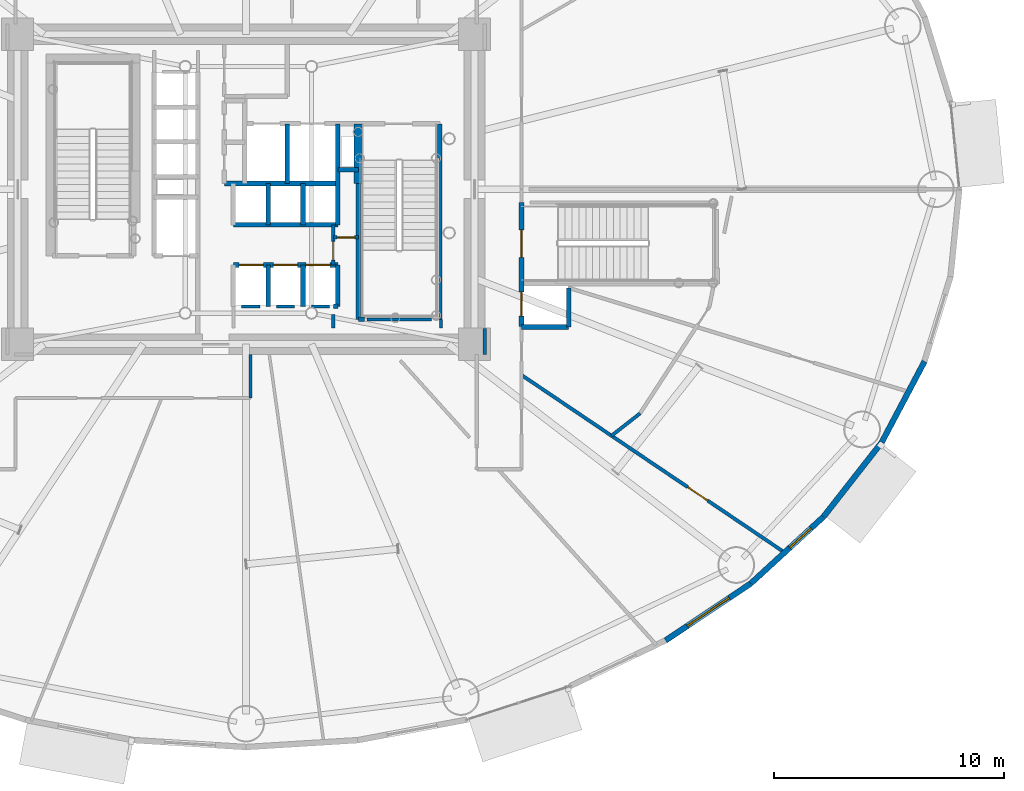
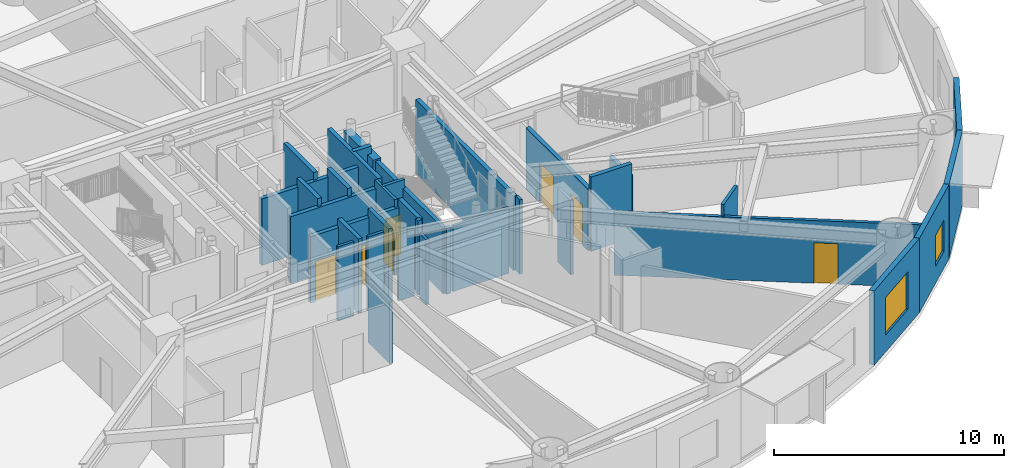
# One storey, part 21 of 35: 35 walls, 8 doors, 2 windows, 10 openings.
"""IFC4 building model written with IfcOpenShell, lengths in metres."""

from ifc_helpers import new_model, si_unit, direction, frame, frame_2d, origin, origin_2d, place, context, subcontext, project, spatial, rectangle, extrude, source, transform, mapped, material, layer, layer_set, type_object, element, fill, save


model = new_model("IFC4")

# Units and contexts
model_context = context("Model", 3, precision=1e-05, world=origin(), true_north=direction((0.0, 1.0)))
body_context = subcontext(model_context, "Body", "Model", "MODEL_VIEW")
ifc_project = project(units=[si_unit("LENGTHUNIT", "METRE"), si_unit("AREAUNIT", "SQUARE_METRE"), si_unit("VOLUMEUNIT", "CUBIC_METRE"), si_unit("PLANEANGLEUNIT", "RADIAN"), si_unit("MASSUNIT", "GRAM", prefix="KILO")], contexts=[model_context])

# Site, building, storey
site_placement = place(None, origin())
site = spatial("IfcSite", under=ifc_project, at=site_placement, CompositionType="ELEMENT")
building_placement = place(site_placement, origin())
building = spatial("IfcBuilding", under=site, at=building_placement, Name="Linh Dai School and Residence Tower", CompositionType="ELEMENT")
storey_placement = place(building_placement, frame((0.0, 0.0, 49.199951171875)))
storey = spatial("IfcBuildingStorey", under=building, at=storey_placement, Name="L11", CompositionType="ELEMENT", Elevation=49.199951171875)

# Wall, opening, window
ifc_material_1 = material(Name="Precast Concrete B45 (C35/45)", Category="concrete")
ifc_layer_1 = layer(ifc_material_1, 0.25)
ifc_layer_set_1 = layer_set([ifc_layer_1], Name="Precast Concrete B45 (C35/45)")
wall_type_1 = type_object("IfcWallType", Name="EW-TC-250", PredefinedType="SOLIDWALL", material=ifc_layer_set_1)
wall_1_placement = place(storey_placement, frame((57.984619140625, 9.82373046875, 0.0), z_axis=(0.0, 0.0, 1.0), x_axis=(-0.831240982525, -0.555912249343, 0.0)))
wall_1 = element("IfcWall", 1, at=wall_1_placement, inside=storey, type_object=wall_type_1, Name="L11 Terracotta Exterior Wall 35", PredefinedType="SOLIDWALL", context=body_context, shape_type="SweptSolid", body=[
    extrude(rectangle(XDim=4.460205078125, YDim=0.25, at=frame_2d((2.22998046875, 0.0))), origin(), (0.0, 0.0, 1.0), 3.949951171875),
])
opening_1_placement = place(wall_1_placement, frame((1.13037109375, 0.0, 0.89990234375)))
opening_1 = element("IfcOpeningElement", 2, at=opening_1_placement, cuts=wall_1, Name="Opening W4", PredefinedType="OPENING", context=body_context, shape_type="SweptSolid", body=[
    extrude(rectangle(XDim=2.199951171875, YDim=2.0, at=origin_2d()), frame((1.10009765625, 0.135009765625, 1.0), z_axis=(0.0, -1.0, 0.0), x_axis=(1.0, 0.0, 0.0)), (0.0, 0.0, 1.0), 0.27001953125),
])
ifc_material_2 = material(Name="Acoustic Laminated Low-E Glazing", Category="glass")
window_type_1 = type_object("IfcWindowType", Name="WN-SCH-2200x2000", PartitioningType="TRIPLE_PANEL_VERTICAL", PredefinedType="WINDOW", material=ifc_material_2)
shared_shape_1 = source(origin(), body_context, "Body", "SweptSolid", [
    extrude(rectangle(XDim=2.199951171875, YDim=2.0, at=origin_2d()), frame((1.10009765625, 0.030029296875, 1.0), z_axis=(0.0, -1.0, 0.0), x_axis=(1.0, 0.0, 0.0)), (0.0, 0.0, 1.0), 0.06005859375),
])
window_1_placement = place(opening_1_placement, origin())
window_1 = element("IfcWindow", 3, at=window_1_placement, inside=storey, type_object=window_type_1, Name="L11 Exterior Window 35.1", OverallHeight=2.0, OverallWidth=2.199951171875, PartitioningType="TRIPLE_PANEL_VERTICAL", PredefinedType="WINDOW", context=body_context, shape_type="MappedRepresentation", body=[
    mapped(shared_shape_1, transform((0.0, 0.0, 0.0), x_axis=(1.0, 0.0, 0.0), y_axis=(0.0, 1.0, 0.0), z_axis=(0.0, 0.0, 1.0), scale=1.0)),
])
fill(opening_1, window_1)

wall_2_placement = place(storey_placement, frame((61.149658203125, 12.725341796875, 0.0), z_axis=(0.0, 0.0, 1.0), x_axis=(-0.737116376281, -0.67576582321, 0.0)))
wall_2 = element("IfcWall", 4, at=wall_2_placement, inside=storey, type_object=wall_type_1, Name="L11 Terracotta Exterior Wall 36", PredefinedType="SOLIDWALL", context=body_context, shape_type="SweptSolid", body=[
    extrude(rectangle(XDim=4.293701171875, YDim=0.25, at=frame_2d((2.14697265625, 0.0))), origin(), (0.0, 0.0, 1.0), 3.949951171875),
])
opening_2_placement = place(wall_2_placement, frame((0.731201171875, 0.0, 0.89990234375)))
opening_2 = element("IfcOpeningElement", 5, at=opening_2_placement, cuts=wall_2, Name="Opening W3", PredefinedType="OPENING", context=body_context, shape_type="SweptSolid", body=[
    extrude(rectangle(XDim=1.25, YDim=1.64990234375, at=origin_2d()), frame((0.625, 0.135009765625, 0.824951171875), z_axis=(0.0, -1.0, 0.0), x_axis=(1.0, 0.0, 0.0)), (0.0, 0.0, 1.0), 0.27001953125),
])
ifc_material_3 = material(Name="Double Low-E Insulated Glazing", Category="glass")
window_type_2 = type_object("IfcWindowType", Name="WN-RES-1250x1650", PartitioningType="SINGLE_PANEL", PredefinedType="WINDOW", material=ifc_material_3)
shared_shape_2 = source(origin(), body_context, "Body", "SweptSolid", [
    extrude(rectangle(XDim=1.25, YDim=1.64990234375, at=origin_2d()), frame((0.625, 0.030029296875, 0.824951171875), z_axis=(0.0, -1.0, 0.0), x_axis=(1.0, 0.0, 0.0)), (0.0, 0.0, 1.0), 0.06005859375),
])
window_2_placement = place(opening_2_placement, origin())
window_2 = element("IfcWindow", 6, at=window_2_placement, inside=storey, type_object=window_type_2, Name="L11 Exterior Window 36.1", OverallHeight=1.64990234375, OverallWidth=1.25, PartitioningType="SINGLE_PANEL", PredefinedType="WINDOW", context=body_context, shape_type="MappedRepresentation", body=[
    mapped(shared_shape_2, transform((0.0, 0.0, 0.0), x_axis=(1.0, 0.0, 0.0), y_axis=(0.0, 1.0, 0.0), z_axis=(0.0, 0.0, 1.0), scale=1.0)),
])
fill(opening_2, window_2)

# Walls
wall_3_placement = place(storey_placement, frame((63.694580078125, 15.977294921875, 0.0), z_axis=(0.0, 0.0, 1.0), x_axis=(-0.616295508253, -0.787514981767, 0.0)))
element("IfcWall", 7, at=wall_3_placement, inside=storey, type_object=wall_type_1, Name="L11 Terracotta Exterior Wall 37", PredefinedType="SOLIDWALL", context=body_context, shape_type="SweptSolid", body=[
    extrude(rectangle(XDim=4.12939453125, YDim=0.25, at=frame_2d((2.064697265625, 0.0))), origin(), (0.0, 0.0, 1.0), 3.949951171875),
])
wall_4_placement = place(storey_placement, frame((65.5576171875, 19.49853515625, 0.0), z_axis=(0.0, 0.0, 1.0), x_axis=(-0.467662443071, -0.883907144072, 0.0)))
element("IfcWall", 8, at=wall_4_placement, inside=storey, type_object=wall_type_1, Name="L11 Terracotta Exterior Wall 38", PredefinedType="SOLIDWALL", context=body_context, shape_type="SweptSolid", body=[
    extrude(rectangle(XDim=3.983642578125, YDim=0.25, at=frame_2d((1.99169921875, 0.0))), origin(), (0.0, 0.0, 1.0), 3.949951171875),
])
ifc_material_4 = material(Name="Autoclaved Aerated Concrete Blockwork", Category="masonry")
ifc_layer_2 = layer(ifc_material_4, 0.135009765625)
ifc_layer_set_2 = layer_set([ifc_layer_2], Name="Autoclaved Aerated Concrete Blockwork")
wall_type_2 = type_object("IfcWallType", Name="IW-CORR-135-EI90", PredefinedType="PARTITIONING", material=ifc_layer_set_2)
wall_5_placement = place(storey_placement, frame((36.199951171875, 17.89990234375, 0.0), z_axis=(0.0, 0.0, 1.0), x_axis=(0.0, 1.0, 0.0)))
element("IfcWall", 9, at=wall_5_placement, inside=storey, type_object=wall_type_2, Name="L11 Interior Partition Wall 041", PredefinedType="PARTITIONING", context=body_context, shape_type="SweptSolid", body=[
    extrude(rectangle(XDim=1.900146484375, YDim=0.135009765625, at=frame_2d((0.9501953125, 0.0))), origin(), (0.0, 0.0, 1.0), 3.28515625),
])

# Wall, opening, door
wall_6_placement = place(storey_placement, frame((39.800048828125, 23.699951171875, 0.0), z_axis=(0.0, 0.0, 1.0), x_axis=(0.0, 1.0, 0.0)))
wall_6 = element("IfcWall", 10, at=wall_6_placement, inside=storey, type_object=wall_type_2, Name="L11 Interior Partition Wall 050", PredefinedType="PARTITIONING", context=body_context, shape_type="SweptSolid", body=[
    extrude(rectangle(XDim=1.75, YDim=0.135009765625, at=frame_2d((0.875, 0.0))), origin(), (0.0, 0.0, 1.0), 3.949951171875),
])
opening_3_placement = place(wall_6_placement, frame((0.2099609375, 0.0, 0.0)))
opening_3 = element("IfcOpeningElement", 11, at=opening_3_placement, cuts=wall_6, Name="Opening D06", PredefinedType="OPENING", context=body_context, shape_type="SweptSolid", body=[
    extrude(rectangle(XDim=0.820068359375, YDim=2.10009765625, at=origin_2d()), frame((0.41015625, 0.07763671875, 1.050048828125), z_axis=(0.0, -1.0, 0.0), x_axis=(1.0, 0.0, 0.0)), (0.0, 0.0, 1.0), 0.155029296875),
])
ifc_material_5 = material(Name="Moisture-Resistant Timber Bathroom Door", Category="wood")
door_type_1 = type_object("IfcDoorType", Name="DR-WET-820x2100", OperationType="NOTDEFINED", PredefinedType="DOOR", material=ifc_material_5)
shared_shape_3 = source(origin(), body_context, "Body", "SweptSolid", [
    extrude(rectangle(XDim=0.820068359375, YDim=2.10009765625, at=origin_2d()), frame((0.41015625, 0.02490234375, 1.050048828125), z_axis=(0.0, -1.0, 0.0), x_axis=(1.0, 0.0, 0.0)), (0.0, 0.0, 1.0), 0.050048828125),
])
door_1_placement = place(opening_3_placement, origin())
door_1 = element("IfcDoor", 12, at=door_1_placement, inside=storey, type_object=door_type_1, Name="L11 SE Electrical Closet Door", OperationType="SINGLE_SWING_RIGHT", OverallHeight=2.10009765625, OverallWidth=0.820068359375, PredefinedType="DOOR", context=body_context, shape_type="MappedRepresentation", body=[
    mapped(shared_shape_3, transform((0.0, 0.0, 0.0), x_axis=(1.0, 0.0, 0.0), y_axis=(0.0, 1.0, 0.0), z_axis=(0.0, 0.0, 1.0), scale=1.0)),
])
fill(opening_3, door_1)

# Walls
wall_7_placement = place(storey_placement, frame((44.080078125, 21.330078125, 0.0), z_axis=(0.0, 0.0, 1.0), x_axis=(-1.0, 0.0, 0.0)))
element("IfcWall", 13, at=wall_7_placement, inside=storey, type_object=wall_type_2, Name="L11 Interior Partition Wall 076", PredefinedType="PARTITIONING", context=body_context, shape_type="SweptSolid", body=[
    extrude(rectangle(XDim=2.820068359375, YDim=0.135009765625, at=frame_2d((1.41015625, 0.0))), origin(), (0.0, 0.0, 1.0), 3.485107421875),
])
wall_8_placement = place(storey_placement, frame((36.60009765625, 21.89990234375, 0.0), z_axis=(0.0, 0.0, 1.0), x_axis=(-1.0, 0.0, 0.0)))
element("IfcWall", 14, at=wall_8_placement, inside=storey, type_object=wall_type_2, Name="L11 Interior Partition Wall 077", PredefinedType="PARTITIONING", context=body_context, shape_type="SweptSolid", body=[
    extrude(rectangle(XDim=0.7900390625, YDim=0.135009765625, at=frame_2d((0.39501953125, 0.0))), origin(), (0.0, 0.0, 1.0), 3.949951171875),
])
wall_9_placement = place(storey_placement, frame((38.1201171875, 21.89990234375, 0.0), z_axis=(0.0, 0.0, 1.0), x_axis=(-1.0, 0.0, 0.0)))
element("IfcWall", 15, at=wall_9_placement, inside=storey, type_object=wall_type_2, Name="L11 Interior Partition Wall 078", PredefinedType="PARTITIONING", context=body_context, shape_type="SweptSolid", body=[
    extrude(rectangle(XDim=0.800048828125, YDim=0.135009765625, at=frame_2d((0.39990234375, 0.0))), origin(), (0.0, 0.0, 1.0), 3.949951171875),
])
wall_10_placement = place(storey_placement, frame((39.639892578125, 21.89990234375, 0.0), z_axis=(0.0, 0.0, 1.0), x_axis=(-1.0, 0.0, 0.0)))
element("IfcWall", 16, at=wall_10_placement, inside=storey, type_object=wall_type_2, Name="L11 Interior Partition Wall 079", PredefinedType="PARTITIONING", context=body_context, shape_type="SweptSolid", body=[
    extrude(rectangle(XDim=0.7998046875, YDim=0.135009765625, at=frame_2d((0.39990234375, 0.0))), origin(), (0.0, 0.0, 1.0), 3.53515625),
])
wall_11_placement = place(storey_placement, frame((39.800048828125, 20.9599609375, 0.0), z_axis=(0.0, 0.0, 1.0), x_axis=(0.0, 1.0, 0.0)))
element("IfcWall", 17, at=wall_11_placement, inside=storey, type_object=wall_type_2, Name="L11 Interior Partition Wall 081", PredefinedType="PARTITIONING", context=body_context, shape_type="SweptSolid", body=[
    extrude(rectangle(XDim=0.580078125, YDim=0.135009765625, at=frame_2d((0.2900390625, 0.0))), origin(), (0.0, 0.0, 1.0), 3.485107421875),
])
wall_12_placement = place(storey_placement, frame((44.5, 20.9599609375, 0.0), z_axis=(0.0, 0.0, 1.0), x_axis=(0.0, 1.0, 0.0)))
element("IfcWall", 18, at=wall_12_placement, inside=storey, type_object=wall_type_2, Name="L11 Interior Partition Wall 083", PredefinedType="PARTITIONING", context=body_context, shape_type="SweptSolid", body=[
    extrude(rectangle(XDim=0.360107421875, YDim=0.135009765625, at=frame_2d((0.18017578125, 0.0))), origin(), (0.0, 0.0, 1.0), 3.949951171875),
])
wall_13_placement = place(storey_placement, frame((46.39990234375, 19.800048828125, 0.0), z_axis=(0.0, 0.0, 1.0), x_axis=(0.0, 1.0, 0.0)))
element("IfcWall", 19, at=wall_13_placement, inside=storey, type_object=wall_type_2, Name="L11 Interior Partition Wall 090", PredefinedType="PARTITIONING", context=body_context, shape_type="SweptSolid", body=[
    extrude(rectangle(XDim=1.139892578125, YDim=0.135009765625, at=frame_2d((0.56982421875, 0.0))), origin(), (0.0, 0.0, 1.0), 3.949951171875),
])

# Wall, opening, door
ifc_layer_3 = layer(ifc_material_4, 0.14990234375)
ifc_layer_set_3 = layer_set([ifc_layer_3], Name="Autoclaved Aerated Concrete Blockwork")
wall_type_3 = type_object("IfcWallType", Name="IW-SCH-150-EI60", PredefinedType="PARTITIONING", material=ifc_layer_set_3)
wall_14_placement = place(storey_placement, frame((39.800048828125, 24.89990234375, 0.0), z_axis=(0.0, 0.0, 1.0), x_axis=(1.0, 0.0, 0.0)))
wall_14 = element("IfcWall", 20, at=wall_14_placement, inside=storey, type_object=wall_type_3, Name="L11 Interior Partition Wall 051", PredefinedType="PARTITIONING", context=body_context, shape_type="SweptSolid", body=[
    extrude(rectangle(XDim=1.099853515625, YDim=0.14990234375, at=frame_2d((0.5498046875, 0.0))), origin(), (0.0, 0.0, 1.0), 3.949951171875),
])
opening_4_placement = place(wall_14_placement, frame((0.169921875, 0.0, 0.0)))
opening_4 = element("IfcOpeningElement", 21, at=opening_4_placement, cuts=wall_14, Name="Opening D08", PredefinedType="OPENING", context=body_context, shape_type="SweptSolid", body=[
    extrude(rectangle(XDim=0.760009765625, YDim=2.10009765625, at=origin_2d()), frame((0.3798828125, 0.0849609375, 1.050048828125), z_axis=(0.0, -1.0, 0.0), x_axis=(1.0, 0.0, 0.0)), (0.0, 0.0, 1.0), 0.169921875),
])
ifc_material_6 = material(Name="Engineered Timber Closet and Study Door", Category="wood")
door_type_2 = type_object("IfcDoorType", Name="DR-CMP-760x2100", OperationType="NOTDEFINED", PredefinedType="DOOR", material=ifc_material_6)
shared_shape_4 = source(origin(), body_context, "Body", "SweptSolid", [
    extrude(rectangle(XDim=0.760009765625, YDim=2.10009765625, at=origin_2d()), frame((0.3798828125, 0.02490234375, 1.050048828125), z_axis=(0.0, -1.0, 0.0), x_axis=(1.0, 0.0, 0.0)), (0.0, 0.0, 1.0), 0.050048828125),
])
door_2_placement = place(opening_4_placement, origin())
door_2 = element("IfcDoor", 22, at=door_2_placement, inside=storey, type_object=door_type_2, Name="L11 NE Equipment Store Door", OperationType="SINGLE_SWING_LEFT", OverallHeight=2.10009765625, OverallWidth=0.760009765625, PredefinedType="DOOR", context=body_context, shape_type="MappedRepresentation", body=[
    mapped(shared_shape_4, transform((0.0, 0.0, 0.0), x_axis=(1.0, 0.0, 0.0), y_axis=(0.0, 1.0, 0.0), z_axis=(0.0, 0.0, 1.0), scale=1.0)),
])
fill(opening_4, door_2)

wall_15_placement = place(storey_placement, frame((48.0, 18.906005859375, 0.0), z_axis=(0.0, 0.0, 1.0), x_axis=(0.829036724814, -0.559194160296, 0.0)))
wall_15 = element("IfcWall", 23, at=wall_15_placement, inside=storey, type_object=wall_type_3, Name="L11 Interior Partition Wall 063", PredefinedType="PARTITIONING", context=body_context, shape_type="SweptSolid", body=[
    extrude(rectangle(XDim=13.828125, YDim=0.14990234375, at=frame_2d((6.9140625, 0.0))), origin(), (0.0, 0.0, 1.0), 3.3349609375),
])
opening_5_placement = place(wall_15_placement, frame((8.7333984375, 0.0, 0.0)))
opening_5 = element("IfcOpeningElement", 24, at=opening_5_placement, cuts=wall_15, Name="Opening D04", PredefinedType="OPENING", context=body_context, shape_type="SweptSolid", body=[
    extrude(rectangle(XDim=1.050048828125, YDim=2.14990234375, at=origin_2d()), frame((0.52490234375, 0.0849609375, 1.074951171875), z_axis=(0.0, -1.0, 0.0), x_axis=(1.0, 0.0, 0.0)), (0.0, 0.0, 1.0), 0.169921875),
])
ifc_material_7 = material(Name="Acoustic Vision-Panel Timber Classroom Door", Category="wood")
door_type_3 = type_object("IfcDoorType", Name="DR-SCH-1050x2150-FD60S", OperationType="NOTDEFINED", PredefinedType="DOOR", material=ifc_material_7)
shared_shape_5 = source(origin(), body_context, "Body", "SweptSolid", [
    extrude(rectangle(XDim=1.050048828125, YDim=2.14990234375, at=origin_2d()), frame((0.52490234375, 0.02490234375, 1.074951171875), z_axis=(0.0, -1.0, 0.0), x_axis=(1.0, 0.0, 0.0)), (0.0, 0.0, 1.0), 0.050048828125),
])
door_3_placement = place(opening_5_placement, origin())
door_3 = element("IfcDoor", 25, at=door_3_placement, inside=storey, type_object=door_type_3, Name="L11 Resource Study Room BWC Door", OperationType="SINGLE_SWING_RIGHT", OverallHeight=2.14990234375, OverallWidth=1.050048828125, PredefinedType="DOOR", context=body_context, shape_type="MappedRepresentation", body=[
    mapped(shared_shape_5, transform((0.0, 0.0, 0.0), x_axis=(1.0, 0.0, 0.0), y_axis=(0.0, 1.0, 0.0), z_axis=(0.0, 0.0, 1.0), scale=1.0)),
])
fill(opening_5, door_3)

# Walls
wall_16_placement = place(storey_placement, frame((51.92041015625, 16.26171875, 0.0), z_axis=(0.0, 0.0, 1.0), x_axis=(0.787325584525, 0.616537447324, 0.0)))
element("IfcWall", 26, at=wall_16_placement, inside=storey, type_object=wall_type_3, Name="L11 Interior Partition Wall 071", PredefinedType="PARTITIONING", context=body_context, shape_type="SweptSolid", body=[
    extrude(rectangle(XDim=1.57958984375, YDim=0.14990234375, at=frame_2d((0.789794921875, 0.0))), origin(), (0.0, 0.0, 1.0), 3.949951171875),
])
ifc_material_8 = material(Name="Concrete B45 (C35/45)", Category="concrete")
ifc_layer_4 = layer(ifc_material_8, 0.199951171875)
ifc_layer_set_4 = layer_set([ifc_layer_4], Name="Concrete B45 (C35/45)")
wall_type_4 = type_object("IfcWallType", Name="IW-SHAFT-200-EI120", PredefinedType="PARTITIONING", material=ifc_layer_set_4)
wall_17_placement = place(storey_placement, frame((35.050048828125, 27.25, 0.0), z_axis=(0.0, 0.0, 1.0), x_axis=(1.0, 0.0, 0.0)))
element("IfcWall", 27, at=wall_17_placement, inside=storey, type_object=wall_type_4, Name="L11 Interior Partition Wall 028", PredefinedType="PARTITIONING", context=body_context, shape_type="SweptSolid", body=[
    extrude(rectangle(XDim=4.949951171875, YDim=0.199951171875, at=frame_2d((2.47509765625, 0.0))), origin(), (0.0, 0.0, 1.0), 3.53515625),
])

# Wall, openings, doors
wall_18_placement = place(storey_placement, frame((35.449951171875, 23.699951171875, 0.0), z_axis=(0.0, 0.0, 1.0), x_axis=(1.0, 0.0, 0.0)))
wall_18 = element("IfcWall", 28, at=wall_18_placement, inside=storey, type_object=wall_type_4, Name="L11 Interior Partition Wall 034", PredefinedType="PARTITIONING", context=body_context, shape_type="SweptSolid", body=[
    extrude(rectangle(XDim=4.550048828125, YDim=0.199951171875, at=frame_2d((2.27490234375, 0.0))), origin(), (0.0, 0.0, 1.0), 3.53515625),
])
opening_6_placement = place(wall_18_placement, frame((0.25, 0.0, 0.0)))
opening_6 = element("IfcOpeningElement", 29, at=opening_6_placement, cuts=wall_18, Name="Opening LD-PL1", PredefinedType="OPENING", context=body_context, shape_type="SweptSolid", body=[
    extrude(rectangle(XDim=1.050048828125, YDim=2.14990234375, at=origin_2d()), frame((0.52490234375, 0.10986328125, 1.074951171875), z_axis=(0.0, -1.0, 0.0), x_axis=(1.0, 0.0, 0.0)), (0.0, 0.0, 1.0), 0.219970703125),
])
opening_7_placement = place(wall_18_placement, frame((1.7451171875, 0.0, 0.0)))
opening_7 = element("IfcOpeningElement", 30, at=opening_7_placement, cuts=wall_18, Name="Opening LD-PL2", PredefinedType="OPENING", context=body_context, shape_type="SweptSolid", body=[
    extrude(rectangle(XDim=1.050048828125, YDim=2.14990234375, at=origin_2d()), frame((0.52490234375, 0.10986328125, 1.074951171875), z_axis=(0.0, -1.0, 0.0), x_axis=(1.0, 0.0, 0.0)), (0.0, 0.0, 1.0), 0.219970703125),
])
opening_8_placement = place(wall_18_placement, frame((3.1650390625, 0.0, 0.0)))
opening_8 = element("IfcOpeningElement", 31, at=opening_8_placement, cuts=wall_18, Name="Opening LD-PL3", PredefinedType="OPENING", context=body_context, shape_type="SweptSolid", body=[
    extrude(rectangle(XDim=1.050048828125, YDim=2.14990234375, at=origin_2d()), frame((0.52490234375, 0.10986328125, 1.074951171875), z_axis=(0.0, -1.0, 0.0), x_axis=(1.0, 0.0, 0.0)), (0.0, 0.0, 1.0), 0.219970703125),
])
ifc_material_9 = material(Name="Brushed Stainless Steel Lift Landing Door", Category="steel")
door_type_4 = type_object("IfcDoorType", Name="DR-LD-PASS-1050x2150", OperationType="DOUBLE_DOOR_SLIDING", PredefinedType="USERDEFINED", material=ifc_material_9)
shared_shape_6 = source(origin(), body_context, "Body", "SweptSolid", [
    extrude(rectangle(XDim=1.050048828125, YDim=2.14990234375, at=origin_2d()), frame((0.52490234375, 0.02490234375, 1.074951171875), z_axis=(0.0, -1.0, 0.0), x_axis=(1.0, 0.0, 0.0)), (0.0, 0.0, 1.0), 0.050048828125),
])
door_4_placement = place(opening_6_placement, origin())
door_4 = element("IfcDoor", 32, at=door_4_placement, inside=storey, type_object=door_type_4, Name="L11 Lift PL1 Sliding Landing Door", ObjectType="LANDING DOOR", OperationType="DOUBLE_DOOR_SLIDING", OverallHeight=2.14990234375, OverallWidth=1.050048828125, PredefinedType="USERDEFINED", context=body_context, shape_type="MappedRepresentation", body=[
    mapped(shared_shape_6, transform((0.0, 0.0, 0.0), x_axis=(1.0, 0.0, 0.0), y_axis=(0.0, 1.0, 0.0), z_axis=(0.0, 0.0, 1.0), scale=1.0)),
])
fill(opening_6, door_4)
door_5_placement = place(opening_7_placement, origin())
door_5 = element("IfcDoor", 33, at=door_5_placement, inside=storey, type_object=door_type_4, Name="L11 Lift PL2 Sliding Landing Door", ObjectType="LANDING DOOR", OperationType="DOUBLE_DOOR_SLIDING", OverallHeight=2.14990234375, OverallWidth=1.050048828125, PredefinedType="USERDEFINED", context=body_context, shape_type="MappedRepresentation", body=[
    mapped(shared_shape_6, transform((0.0, 0.0, 0.0), x_axis=(1.0, 0.0, 0.0), y_axis=(0.0, 1.0, 0.0), z_axis=(0.0, 0.0, 1.0), scale=1.0)),
])
fill(opening_7, door_5)
door_6_placement = place(opening_8_placement, origin())
door_6 = element("IfcDoor", 34, at=door_6_placement, inside=storey, type_object=door_type_4, Name="L11 Lift PL3 Sliding Landing Door", ObjectType="LANDING DOOR", OperationType="DOUBLE_DOOR_SLIDING", OverallHeight=2.14990234375, OverallWidth=1.050048828125, PredefinedType="USERDEFINED", context=body_context, shape_type="MappedRepresentation", body=[
    mapped(shared_shape_6, transform((0.0, 0.0, 0.0), x_axis=(1.0, 0.0, 0.0), y_axis=(0.0, 1.0, 0.0), z_axis=(0.0, 0.0, 1.0), scale=1.0)),
])
fill(opening_8, door_6)

# Walls
wall_19_placement = place(storey_placement, frame((35.449951171875, 25.449951171875, 0.0), z_axis=(0.0, 0.0, 1.0), x_axis=(1.0, 0.0, 0.0)))
element("IfcWall", 35, at=wall_19_placement, inside=storey, type_object=wall_type_4, Name="L11 Interior Partition Wall 036", PredefinedType="PARTITIONING", context=body_context, shape_type="SweptSolid", body=[
    extrude(rectangle(XDim=4.550048828125, YDim=0.199951171875, at=frame_2d((2.27490234375, 0.0))), origin(), (0.0, 0.0, 1.0), 3.53515625),
])
for number, where, z_axis, x_axis, name in (
    (36, (36.9599609375, 21.89990234375, 0.0), (0.0, 0.0, 1.0), (0.0, 1.0, 0.0), "L11 Interior Partition Wall 042"),
    (37, (36.9599609375, 25.449951171875, 0.0), (0.0, 0.0, 1.0), (0.0, 1.0, 0.0), "L11 Interior Partition Wall 043"),
):
    element("IfcWall", number, at=place(storey_placement, frame(where, z_axis=z_axis, x_axis=x_axis)), inside=storey, type_object=wall_type_4, Name=name, PredefinedType="PARTITIONING", context=body_context, shape_type="SweptSolid", body=[
        extrude(rectangle(XDim=1.800048828125, YDim=0.199951171875, at=frame_2d((0.89990234375, 0.0))), origin(), (0.0, 0.0, 1.0), 3.949951171875),
    ])
wall_20_placement = place(storey_placement, frame((37.800048828125, 27.25, 0.0), z_axis=(0.0, 0.0, 1.0), x_axis=(0.0, 1.0, 0.0)))
element("IfcWall", 38, at=wall_20_placement, inside=storey, type_object=wall_type_4, Name="L11 Interior Partition Wall 045", PredefinedType="PARTITIONING", context=body_context, shape_type="SweptSolid", body=[
    extrude(rectangle(XDim=2.60009765625, YDim=0.199951171875, at=frame_2d((1.300048828125, 0.0))), origin(), (0.0, 0.0, 1.0), 3.949951171875),
])
for number, where, z_axis, x_axis, name in (
    (39, (38.47998046875, 21.89990234375, 0.0), (0.0, 0.0, 1.0), (0.0, 1.0, 0.0), "L11 Interior Partition Wall 047"),
    (40, (38.47998046875, 25.449951171875, 0.0), (0.0, 0.0, 1.0), (0.0, 1.0, 0.0), "L11 Interior Partition Wall 048"),
):
    element("IfcWall", number, at=place(storey_placement, frame(where, z_axis=z_axis, x_axis=x_axis)), inside=storey, type_object=wall_type_4, Name=name, PredefinedType="PARTITIONING", context=body_context, shape_type="SweptSolid", body=[
        extrude(rectangle(XDim=1.800048828125, YDim=0.199951171875, at=frame_2d((0.89990234375, 0.0))), origin(), (0.0, 0.0, 1.0), 3.949951171875),
    ])
wall_21_placement = place(storey_placement, frame((39.800048828125, 21.89990234375, 0.0), z_axis=(0.0, 0.0, 1.0), x_axis=(1.0, 0.0, 0.0)))
element("IfcWall", 41, at=wall_21_placement, inside=storey, type_object=wall_type_4, Name="L11 Interior Partition Wall 049", PredefinedType="PARTITIONING", context=body_context, shape_type="SweptSolid", body=[
    extrude(rectangle(XDim=0.199951171875, YDim=0.199951171875, at=frame_2d((0.10009765625, 0.0))), origin(), (0.0, 0.0, 1.0), 3.949951171875),
])
wall_22_placement = place(storey_placement, frame((40.0, 21.89990234375, 0.0), z_axis=(0.0, 0.0, 1.0), x_axis=(0.0, 1.0, 0.0)))
element("IfcWall", 42, at=wall_22_placement, inside=storey, type_object=wall_type_4, Name="L11 Interior Partition Wall 052", PredefinedType="PARTITIONING", context=body_context, shape_type="SweptSolid", body=[
    extrude(rectangle(XDim=1.800048828125, YDim=0.199951171875, at=frame_2d((0.89990234375, 0.0))), origin(), (0.0, 0.0, 1.0), 3.949951171875),
])
wall_23_placement = place(storey_placement, frame((40.0, 25.449951171875, 0.0), z_axis=(0.0, 0.0, 1.0), x_axis=(0.0, 1.0, 0.0)))
element("IfcWall", 43, at=wall_23_placement, inside=storey, type_object=wall_type_4, Name="L11 Interior Partition Wall 053", PredefinedType="PARTITIONING", context=body_context, shape_type="SweptSolid", body=[
    extrude(rectangle(XDim=4.400146484375, YDim=0.199951171875, at=frame_2d((2.2001953125, 0.0))), origin(), (0.0, 0.0, 1.0), 3.949951171875),
])
wall_24_placement = place(storey_placement, frame((40.0, 27.85009765625, 0.0), z_axis=(0.0, 0.0, 1.0), x_axis=(1.0, 0.0, 0.0)))
element("IfcWall", 44, at=wall_24_placement, inside=storey, type_object=wall_type_4, Name="L11 Interior Partition Wall 054", PredefinedType="PARTITIONING", context=body_context, shape_type="SweptSolid", body=[
    extrude(rectangle(XDim=0.89990234375, YDim=0.199951171875, at=frame_2d((0.449951171875, 0.0))), origin(), (0.0, 0.0, 1.0), 3.949951171875),
])
wall_25_placement = place(storey_placement, frame((40.89990234375, 21.330078125, 0.0), z_axis=(0.0, 0.0, 1.0), x_axis=(0.0, 1.0, 0.0)))
element("IfcWall", 45, at=wall_25_placement, inside=storey, type_object=wall_type_4, Name="L11 Interior Partition Wall 055", PredefinedType="PARTITIONING", context=body_context, shape_type="SweptSolid", body=[
    extrude(rectangle(XDim=5.909912109375, YDim=0.199951171875, at=frame_2d((2.955078125, 0.0))), origin(), (0.0, 0.0, 1.0), 3.485107421875),
])
wall_26_placement = place(storey_placement, frame((40.89990234375, 21.330078125, 0.0), z_axis=(0.0, 0.0, 1.0), x_axis=(1.0, 0.0, 0.0)))
element("IfcWall", 46, at=wall_26_placement, inside=storey, type_object=wall_type_4, Name="L11 Interior Partition Wall 056", PredefinedType="PARTITIONING", context=body_context, shape_type="SweptSolid", body=[
    extrude(rectangle(XDim=0.25, YDim=0.199951171875, at=frame_2d((0.125, 0.0))), origin(), (0.0, 0.0, 1.0), 3.485107421875),
])
wall_27_placement = place(storey_placement, frame((44.43994140625, 21.330078125, 0.0), z_axis=(0.0, 0.0, 1.0), x_axis=(0.0, 1.0, 0.0)))
element("IfcWall", 47, at=wall_27_placement, inside=storey, type_object=wall_type_4, Name="L11 Interior Partition Wall 058", PredefinedType="PARTITIONING", context=body_context, shape_type="SweptSolid", body=[
    extrude(rectangle(XDim=8.52001953125, YDim=0.199951171875, at=frame_2d((4.260009765625, 0.0))), origin(), (0.0, 0.0, 1.0), 3.949951171875),
])

# Wall, openings, doors
wall_28_placement = place(storey_placement, frame((48.0, 21.010009765625, 0.0), z_axis=(0.0, 0.0, 1.0), x_axis=(0.0, 1.0, 0.0)))
wall_28 = element("IfcWall", 48, at=wall_28_placement, inside=storey, type_object=wall_type_4, Name="L11 Interior Partition Wall 064", PredefinedType="PARTITIONING", context=body_context, shape_type="SweptSolid", body=[
    extrude(rectangle(XDim=5.409912109375, YDim=0.199951171875, at=frame_2d((2.705078125, 0.0))), origin(), (0.0, 0.0, 1.0), 3.28515625),
])
opening_9_placement = place(wall_28_placement, frame((3.02001953125, 0.0, 0.0)))
opening_9 = element("IfcOpeningElement", 49, at=opening_9_placement, cuts=wall_28, Name="Opening D01", PredefinedType="OPENING", context=body_context, shape_type="SweptSolid", body=[
    extrude(rectangle(XDim=1.199951171875, YDim=2.14990234375, at=origin_2d()), frame((0.60009765625, 0.10986328125, 1.074951171875), z_axis=(0.0, -1.0, 0.0), x_axis=(1.0, 0.0, 0.0)), (0.0, 0.0, 1.0), 0.219970703125),
])
opening_10_placement = place(wall_28_placement, frame((0.465087890625, 0.0, 0.0)))
opening_10 = element("IfcOpeningElement", 50, at=opening_10_placement, cuts=wall_28, Name="Opening LD-SL2", PredefinedType="OPENING", context=body_context, shape_type="SweptSolid", body=[
    extrude(rectangle(XDim=1.050048828125, YDim=2.14990234375, at=origin_2d()), frame((0.52490234375, 0.10986328125, 1.074951171875), z_axis=(0.0, -1.0, 0.0), x_axis=(1.0, 0.0, 0.0)), (0.0, 0.0, 1.0), 0.219970703125),
])
ifc_material_10 = material(Name="Fire-Rated Steel Door Leaf", Category="steel")
door_type_5 = type_object("IfcDoorType", Name="DR-STAIR-1200x2150-FD90S", OperationType="NOTDEFINED", PredefinedType="DOOR", material=ifc_material_10)
shared_shape_7 = source(origin(), body_context, "Body", "SweptSolid", [
    extrude(rectangle(XDim=1.199951171875, YDim=2.14990234375, at=origin_2d()), frame((0.60009765625, 0.02490234375, 1.074951171875), z_axis=(0.0, -1.0, 0.0), x_axis=(1.0, 0.0, 0.0)), (0.0, 0.0, 1.0), 0.050048828125),
])
door_7_placement = place(opening_9_placement, origin())
door_7 = element("IfcDoor", 51, at=door_7_placement, inside=storey, type_object=door_type_5, Name="L11 Exit Stair STS2 Door", OperationType="SINGLE_SWING_RIGHT", OverallHeight=2.14990234375, OverallWidth=1.199951171875, PredefinedType="DOOR", context=body_context, shape_type="MappedRepresentation", body=[
    mapped(shared_shape_7, transform((0.0, 0.0, 0.0), x_axis=(1.0, 0.0, 0.0), y_axis=(0.0, 1.0, 0.0), z_axis=(0.0, 0.0, 1.0), scale=1.0)),
])
fill(opening_9, door_7)
door_8_placement = place(opening_10_placement, origin())
door_8 = element("IfcDoor", 52, at=door_8_placement, inside=storey, type_object=door_type_4, Name="L11 Lift SL2 Sliding Landing Door", ObjectType="LANDING DOOR", OperationType="DOUBLE_DOOR_SLIDING", OverallHeight=2.14990234375, OverallWidth=1.050048828125, PredefinedType="USERDEFINED", context=body_context, shape_type="MappedRepresentation", body=[
    mapped(shared_shape_6, transform((0.0, 0.0, 0.0), x_axis=(1.0, 0.0, 0.0), y_axis=(0.0, 1.0, 0.0), z_axis=(0.0, 0.0, 1.0), scale=1.0)),
])
fill(opening_10, door_8)

# Walls
wall_29_placement = place(storey_placement, frame((48.0, 21.0, 0.0), z_axis=(0.0, 0.0, 1.0), x_axis=(1.0, 0.0, 0.0)))
element("IfcWall", 53, at=wall_29_placement, inside=storey, type_object=wall_type_4, Name="L11 Interior Partition Wall 065", PredefinedType="PARTITIONING", context=body_context, shape_type="SweptSolid", body=[
    extrude(rectangle(XDim=2.050048828125, YDim=0.199951171875, at=frame_2d((1.02490234375, 0.0))), origin(), (0.0, 0.0, 1.0), 3.949951171875),
])
wall_30_placement = place(storey_placement, frame((50.050048828125, 21.0, 0.0), z_axis=(0.0, 0.0, 1.0), x_axis=(0.0, 1.0, 0.0)))
element("IfcWall", 54, at=wall_30_placement, inside=storey, type_object=wall_type_4, Name="L11 Interior Partition Wall 069", PredefinedType="PARTITIONING", context=body_context, shape_type="SweptSolid", body=[
    extrude(rectangle(XDim=1.70458984375, YDim=0.199951171875, at=frame_2d((0.852294921875, 0.0))), origin(), (0.0, 0.0, 1.0), 3.28515625),
])
ifc_layer_5 = layer(ifc_material_8, 0.39990234375)
ifc_layer_set_5 = layer_set([ifc_layer_5], Name="Concrete B45 (C35/45)")
wall_type_5 = type_object("IfcWallType", Name="WL-CORE400", PredefinedType="SHEAR", material=ifc_layer_set_5)
wall_31_placement = place(storey_placement, frame((40.89990234375, 27.25, 0.0), z_axis=(0.0, 0.0, 1.0), x_axis=(0.0, 1.0, 0.0)))
element("IfcWall", 55, at=wall_31_placement, inside=storey, type_object=wall_type_5, Name="L11 Internal Core Shear Wall IE", PredefinedType="SHEAR", context=body_context, shape_type="SweptSolid", body=[
    extrude(rectangle(XDim=2.60009765625, YDim=0.39990234375, at=frame_2d((1.300048828125, 0.0))), origin(), (0.0, 0.0, 1.0), 3.550048828125),
])

save(model, "model.ifc")
